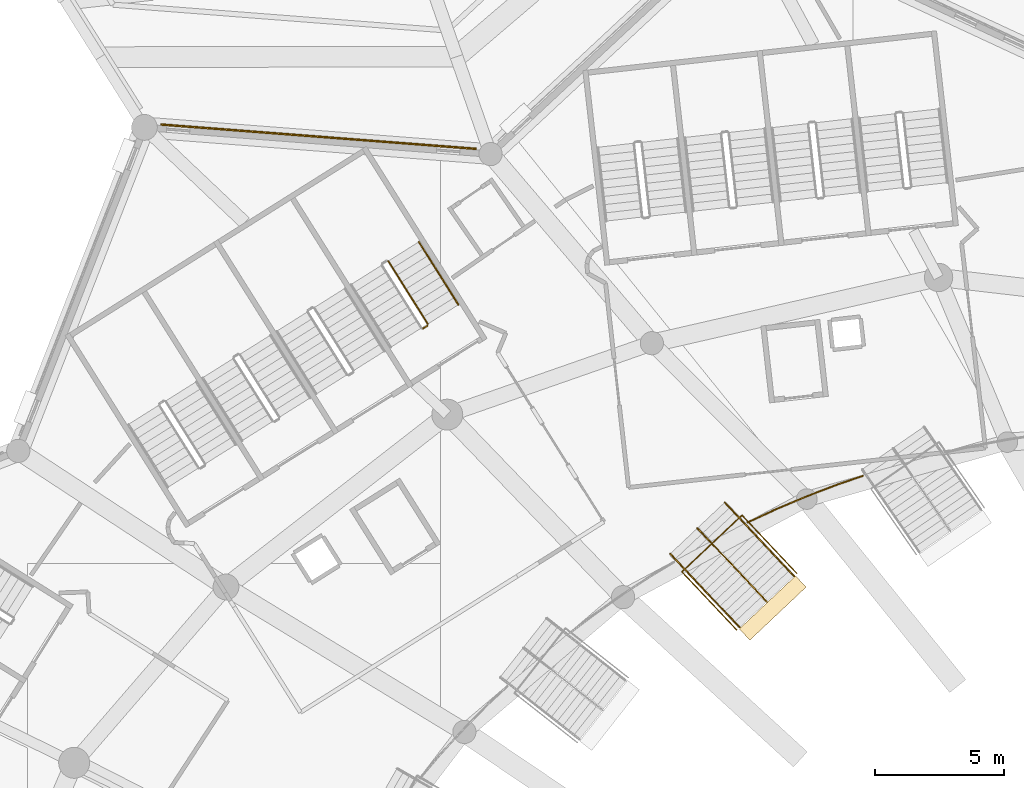
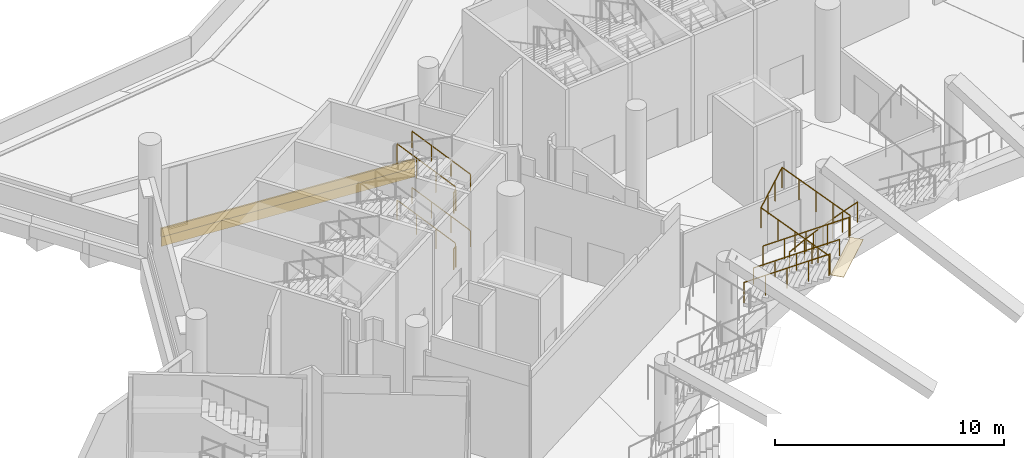
# One storey, part 152 of 173: 11 railings, 3 coverings.
"""IFC4 building model written with IfcOpenShell, lengths in metres."""

from ifc_helpers import new_model, si_unit, direction, frame, origin, origin_2d, place, context, subcontext, project, spatial, rectangle, circle, extrude, material, layer, layer_set, type_object, element, save


model = new_model("IFC4")

# Units and contexts
model_context = context("Model", 3, precision=1e-05, world=origin(), true_north=direction((0.0, 1.0)))
body_context = subcontext(model_context, "Body", "Model", "MODEL_VIEW")
ifc_project = project(units=[si_unit("LENGTHUNIT", "METRE"), si_unit("AREAUNIT", "SQUARE_METRE"), si_unit("VOLUMEUNIT", "CUBIC_METRE"), si_unit("PLANEANGLEUNIT", "RADIAN"), si_unit("MASSUNIT", "GRAM", prefix="KILO")], contexts=[model_context])

# Site, building, storey
site_placement = place(None, origin())
site = spatial("IfcSite", under=ifc_project, at=site_placement, CompositionType="ELEMENT")
building_placement = place(site_placement, origin())
building = spatial("IfcBuilding", under=site, at=building_placement, Name="Meseta Stadium", CompositionType="ELEMENT")
storey_placement = place(building_placement, frame((0.0, 0.0, 18.0)))
storey = spatial("IfcBuildingStorey", under=building, at=storey_placement, Name="L03", CompositionType="ELEMENT", Elevation=18.0)

# Covering
ifc_material_1 = material(Name="Guadarrama granite cladding", Category="masonry")
ifc_layer_1 = layer(ifc_material_1, 0.06005859375)
ifc_layer_set_1 = layer_set([ifc_layer_1], Name="Granite plinth cladding 60")
covering_type_1 = type_object("IfcCoveringType", Name="Granite plinth cladding 60", PredefinedType="CLADDING", material=ifc_layer_set_1)
covering_1_placement = place(storey_placement, frame((-68.726318359375, 96.543212890625, 0.0), z_axis=(0.0, 0.0, 1.0), x_axis=(0.997035991003, -0.076936549466, 0.0)))
element("IfcCovering", 1, at=covering_1_placement, inside=storey, type_object=covering_type_1, Name="Granite plinth L03 F23", PredefinedType="CLADDING", context=body_context, shape_type="SweptSolid", body=[
    extrude(rectangle(XDim=12.273681640625, YDim=0.06005859375, at=origin_2d()), origin(), (0.0, 0.0, 1.0), 0.5),
])

# Railings
ifc_material_2 = material(Name="Steel S355", Category="steel")
railing_type_1 = type_object("IfcRailingType", Name="Plate edge guard 1100", PredefinedType="GUARDRAIL", material=ifc_material_2)
railing_1_placement = place(storey_placement, frame((-47.6162109375, 83.400634765625, 0.0)))
element("IfcRailing", 2, at=railing_1_placement, inside=storey, type_object=railing_type_1, Name="L03 inner edge guard 24", PredefinedType="GUARDRAIL", context=body_context, shape_type="SweptSolid", body=[
    extrude(circle(Radius=0.02490234375, at=origin_2d()), frame((0.0, 0.0, 1.0751953125), z_axis=(-0.945948078572, -0.324318104099, 0.0), x_axis=(0.324318104099, -0.945948078572, 0.0)), (0.0, 0.0, 1.0), 1.00341796875),
    extrude(circle(Radius=0.02490234375, at=origin_2d()), frame((-0.94921875, -0.325439453125, 1.0751953125), z_axis=(-0.933888814038, -0.357563537033, 0.0), x_axis=(0.357563537033, -0.933888814038, 0.0)), (0.0, 0.0, 1.0), 1.3525390625),
    extrude(circle(Radius=0.02490234375, at=origin_2d()), frame((-2.21240234375, -0.80908203125, 1.0751953125), z_axis=(-0.920530635071, -0.390670385231, 0.0), x_axis=(0.390670385231, -0.920530635071, 0.0)), (0.0, 0.0, 1.0), 1.352294921875),
    extrude(circle(Radius=0.02490234375, at=origin_2d()), frame((-3.457275390625, -1.33740234375, 1.0751953125), z_axis=(-0.906110366799, -0.423041372894, 0.0), x_axis=(0.423041372894, -0.906110366799, 0.0)), (0.0, 0.0, 1.0), 1.114501953125),
    extrude(circle(Radius=0.02001953125, at=origin_2d()), origin(), (0.0, 0.0, 1.0), 1.050048828125),
    extrude(circle(Radius=0.02001953125, at=origin_2d()), frame((-0.94921875, -0.325439453125, 0.0)), (0.0, 0.0, 1.0), 1.050048828125),
    extrude(circle(Radius=0.02001953125, at=origin_2d()), frame((-1.580810546875, -0.5673828125, 0.0)), (0.0, 0.0, 1.0), 1.050048828125),
    extrude(circle(Radius=0.02001953125, at=origin_2d()), frame((-2.21240234375, -0.80908203125, 0.0)), (0.0, 0.0, 1.0), 1.050048828125),
    extrude(circle(Radius=0.02001953125, at=origin_2d()), frame((-2.8349609375, -1.0732421875, 0.0)), (0.0, 0.0, 1.0), 1.050048828125),
    extrude(circle(Radius=0.02001953125, at=origin_2d()), frame((-3.457275390625, -1.33740234375, 0.0)), (0.0, 0.0, 1.0), 1.050048828125),
    extrude(circle(Radius=0.02001953125, at=origin_2d()), frame((-4.467041015625, -1.808837890625, 0.0)), (0.0, 0.0, 1.0), 1.050048828125),
])
ifc_material_3 = material(Name="Steel S355", Category="steel")
railing_type_2 = type_object("IfcRailingType", Name="Stair guard 1100", PredefinedType="GUARDRAIL", material=ifc_material_3)
railing_2_placement = place(storey_placement, frame((-64.4853515625, 89.286865234375, 0.14990234375)))
element("IfcRailing", 3, at=railing_2_placement, inside=storey, type_object=railing_type_2, Name="ST49 L03 guard 1", PredefinedType="GUARDRAIL", context=body_context, shape_type="SweptSolid", body=[
    extrude(circle(Radius=0.02392578125, at=origin_2d()), frame((0.0, 0.0, 1.076171875), z_axis=(-0.481702688975, 0.766687087345, 0.424444848635), x_axis=(-0.84674347122, -0.532001404082, 0.0)), (0.0, 0.0, 1.0), 3.180908203125),
    extrude(circle(Radius=0.02099609375, at=origin_2d()), origin(), (0.0, 0.0, 1.0), 1.052001953125),
    extrude(circle(Radius=0.02099609375, at=origin_2d()), frame((-0.5107421875, 0.81298828125, 0.449951171875)), (0.0, 0.0, 1.0), 1.052001953125),
    extrude(circle(Radius=0.02099609375, at=origin_2d()), frame((-1.021484375, 1.625732421875, 0.900146484375)), (0.0, 0.0, 1.0), 1.052001953125),
    extrude(circle(Radius=0.02099609375, at=origin_2d()), frame((-1.5322265625, 2.438720703125, 1.35009765625)), (0.0, 0.0, 1.0), 1.052001953125),
])
railing_3_placement = place(storey_placement, frame((-64.5009765625, 89.218017578125, 3.0)))
element("IfcRailing", 4, at=railing_3_placement, inside=storey, type_object=railing_type_2, Name="ST49 L03 guard 4", PredefinedType="GUARDRAIL", context=body_context, shape_type="SweptSolid", body=[
    extrude(circle(Radius=0.02392578125, at=origin_2d()), frame((0.0, 0.0, 1.076171875), z_axis=(-0.846762178531, -0.531971628011, 0.0), x_axis=(0.531971628011, -0.846762178531, 0.0)), (0.0, 0.0, 1.0), 0.2001953125),
    extrude(circle(Radius=0.02099609375, at=origin_2d()), origin(), (0.0, 0.0, 1.0), 1.052001953125),
    extrude(circle(Radius=0.02099609375, at=origin_2d()), frame((-0.16943359375, -0.1064453125, 0.0)), (0.0, 0.0, 1.0), 1.052001953125),
])
railing_4_placement = place(storey_placement, frame((-64.4853515625, 89.286865234375, 3.14990234375)))
element("IfcRailing", 5, at=railing_4_placement, inside=storey, type_object=railing_type_2, Name="ST49 L03 guard 5", PredefinedType="GUARDRAIL", context=body_context, shape_type="SweptSolid", body=[
    extrude(circle(Radius=0.02392578125, at=origin_2d()), frame((0.0, 0.0, 1.076171875), z_axis=(-0.481702688975, 0.766687087345, 0.424444848635), x_axis=(-0.84674347122, -0.532001404082, 0.0)), (0.0, 0.0, 1.0), 3.180908203125),
    extrude(circle(Radius=0.02099609375, at=origin_2d()), origin(), (0.0, 0.0, 1.0), 1.052001953125),
    extrude(circle(Radius=0.02099609375, at=origin_2d()), frame((-0.5107421875, 0.81298828125, 0.449951171875)), (0.0, 0.0, 1.0), 1.052001953125),
    extrude(circle(Radius=0.02099609375, at=origin_2d()), frame((-1.021484375, 1.625732421875, 0.900146484375)), (0.0, 0.0, 1.0), 1.052001953125),
    extrude(circle(Radius=0.02099609375, at=origin_2d()), frame((-1.5322265625, 2.438720703125, 1.35009765625)), (0.0, 0.0, 1.0), 1.052001953125),
])
railing_5_placement = place(storey_placement, frame((-64.5009765625, 89.218017578125, 0.0)))
element("IfcRailing", 6, at=railing_5_placement, inside=storey, type_object=railing_type_2, Name="ST49 L03 guard 8", PredefinedType="GUARDRAIL", context=body_context, shape_type="SweptSolid", body=[
    extrude(circle(Radius=0.02392578125, at=origin_2d()), frame((0.0, 0.0, 1.076171875), z_axis=(-0.846762178531, -0.531971628011, 0.0), x_axis=(0.531971628011, -0.846762178531, 0.0)), (0.0, 0.0, 1.0), 0.2001953125),
    extrude(circle(Radius=0.02099609375, at=origin_2d()), origin(), (0.0, 0.0, 1.0), 1.052001953125),
    extrude(circle(Radius=0.02099609375, at=origin_2d()), frame((-0.16943359375, -0.1064453125, 0.0)), (0.0, 0.0, 1.0), 1.052001953125),
])
ifc_material_4 = material(Name="Steel S355", Category="steel")
railing_type_3 = type_object("IfcRailingType", Name="Stair handrail 900", PredefinedType="HANDRAIL", material=ifc_material_4)
for number, where, name in (
    (7, (-63.2998046875, 90.03173828125, 0.14990234375), "ST49 L03 handrail 1"),
    (8, (-63.2998046875, 90.03173828125, 3.14990234375), "ST49 L03 handrail 3"),
):
    element("IfcRailing", number, at=place(storey_placement, frame(where)), inside=storey, type_object=railing_type_3, Name=name, PredefinedType="HANDRAIL", context=body_context, shape_type="SweptSolid", body=[
        extrude(circle(Radius=0.02392578125, at=origin_2d()), frame((0.0, 0.0, 0.8759765625), z_axis=(-0.481702688975, 0.766687087345, 0.424444848635), x_axis=(-0.84674347122, -0.532001404082, 0.0)), (0.0, 0.0, 1.0), 3.180908203125),
        extrude(circle(Radius=0.02099609375, at=origin_2d()), origin(), (0.0, 0.0, 1.0), 0.851806640625),
        extrude(circle(Radius=0.02099609375, at=origin_2d()), frame((-0.5107421875, 0.81298828125, 0.449951171875)), (0.0, 0.0, 1.0), 0.851806640625),
        extrude(circle(Radius=0.02099609375, at=origin_2d()), frame((-1.021484375, 1.625732421875, 0.900146484375)), (0.0, 0.0, 1.0), 0.851806640625),
        extrude(circle(Radius=0.02099609375, at=origin_2d()), frame((-1.5322265625, 2.438720703125, 1.35009765625)), (0.0, 0.0, 1.0), 0.851806640625),
    ])

# Coverings
ifc_material_5 = material(Name="Precast concrete C40/50, terracotta pigment", Category="masonry")
ifc_layer_2 = layer(ifc_material_5, 0.080078125)
ifc_layer_set_2 = layer_set([ifc_layer_2], Name="Precast concrete C40/50, terracotta pigment")
covering_type_2 = type_object("IfcCoveringType", Name="Terracotta precast band 80", PredefinedType="CLADDING", material=ifc_layer_set_2)
covering_2_placement = place(storey_placement, frame((-68.7255859375, 96.55322265625, 0.5), z_axis=(0.0, 0.0, 1.0), x_axis=(0.997035991003, -0.076936549466, 0.0)))
element("IfcCovering", 9, at=covering_2_placement, inside=storey, type_object=covering_type_2, Name="Terracotta band L03 F23", PredefinedType="CLADDING", context=body_context, shape_type="SweptSolid", body=[
    extrude(rectangle(XDim=12.273681640625, YDim=0.080078125, at=origin_2d()), origin(), (0.0, 0.0, 1.0), 0.449951171875),
])
ifc_material_6 = material(Name="Stone paving", Category="masonry")
ifc_layer_3 = layer(ifc_material_6, 0.02001953125)
ifc_layer_set_3 = layer_set([ifc_layer_3], Name="Vomitory exit threshold plate 20")
covering_type_3 = type_object("IfcCoveringType", Name="Vomitory exit threshold plate 20", PredefinedType="FLOORING", material=ifc_layer_set_3)
covering_3_placement = place(storey_placement, frame((-51.113525390625, 78.275146484375, 2.453125), z_axis=(0.0, 0.0, 1.0), x_axis=(0.686064733008, -0.72754050205, 0.0)))
element("IfcCovering", 10, at=covering_3_placement, inside=storey, type_object=covering_type_3, Name="Vomitory V-upper-24 exit threshold", PredefinedType="FLOORING", context=body_context, shape_type="SweptSolid", body=[
    extrude(rectangle(XDim=0.60009765625, YDim=3.0, at=origin_2d()), origin(), (0.0, 0.0, 1.0), 0.02001953125),
])

# Railings
ifc_material_7 = material(Name="Steel S355", Category="steel")
railing_type_4 = type_object("IfcRailingType", Name="Vomitory slot guard 1100", PredefinedType="GUARDRAIL", material=ifc_material_7)
railing_6_placement = place(storey_placement, frame((-52.5068359375, 77.42041015625, 2.47314453125)))
element("IfcRailing", 11, at=railing_6_placement, inside=storey, type_object=railing_type_4, Name="Vomitory V-upper-24 slot guard", PredefinedType="GUARDRAIL", context=body_context, shape_type="SweptSolid", body=[
    extrude(circle(Radius=0.02490234375, at=origin_2d()), frame((0.0, 0.0, 1.0751953125), z_axis=(-0.581765575966, 0.616961358141, 0.530007072766), x_axis=(-0.727554587562, -0.686049795654, 0.0)), (0.0, 0.0, 1.0), 3.655517578125),
    extrude(circle(Radius=0.02490234375, at=origin_2d()), frame((-2.126708984375, 2.25537109375, 3.0126953125), z_axis=(0.727554587562, 0.686049795654, 0.0), x_axis=(-0.686049795654, 0.727554587562, 0.0)), (0.0, 0.0, 1.0), 3.199951171875),
    extrude(circle(Radius=0.02490234375, at=origin_2d()), frame((0.201416015625, 4.45068359375, 3.0126953125), z_axis=(0.581765575966, -0.616961358141, -0.530007072766), x_axis=(0.727554587562, 0.686049795654, 0.0)), (0.0, 0.0, 1.0), 3.655517578125),
    extrude(circle(Radius=0.02001953125, at=origin_2d()), origin(), (0.0, 0.0, 1.0), 1.050048828125),
    extrude(circle(Radius=0.02001953125, at=origin_2d()), frame((-0.53173828125, 0.56396484375, 0.484375)), (0.0, 0.0, 1.0), 1.050048828125),
    extrude(circle(Radius=0.02001953125, at=origin_2d()), frame((-1.0634765625, 1.127685546875, 0.96875)), (0.0, 0.0, 1.0), 1.050048828125),
    extrude(circle(Radius=0.02001953125, at=origin_2d()), frame((-1.594970703125, 1.69140625, 1.453125)), (0.0, 0.0, 1.0), 1.050048828125),
    extrude(circle(Radius=0.02001953125, at=origin_2d()), frame((-2.126708984375, 2.25537109375, 1.9375)), (0.0, 0.0, 1.0), 1.050048828125),
    extrude(circle(Radius=0.02001953125, at=origin_2d()), frame((-1.3505859375, 2.987060546875, 1.9375)), (0.0, 0.0, 1.0), 1.050048828125),
    extrude(circle(Radius=0.02001953125, at=origin_2d()), frame((-0.57470703125, 3.718994140625, 1.9375)), (0.0, 0.0, 1.0), 1.050048828125),
    extrude(circle(Radius=0.02001953125, at=origin_2d()), frame((0.201416015625, 4.45068359375, 1.9375)), (0.0, 0.0, 1.0), 1.050048828125),
    extrude(circle(Radius=0.02001953125, at=origin_2d()), frame((0.733154296875, 3.88671875, 1.453125)), (0.0, 0.0, 1.0), 1.050048828125),
    extrude(circle(Radius=0.02001953125, at=origin_2d()), frame((1.2646484375, 3.322998046875, 0.96875)), (0.0, 0.0, 1.0), 1.050048828125),
    extrude(circle(Radius=0.02001953125, at=origin_2d()), frame((1.79638671875, 2.75927734375, 0.484375)), (0.0, 0.0, 1.0), 1.050048828125),
    extrude(circle(Radius=0.02001953125, at=origin_2d()), frame((2.328125, 2.1953125, 0.0)), (0.0, 0.0, 1.0), 1.050048828125),
])
ifc_material_8 = material(Name="Steel S355", Category="steel")
railing_type_5 = type_object("IfcRailingType", Name="Vomitory stair guard 1100", PredefinedType="GUARDRAIL", material=ifc_material_8)
for number, where, name in (
    (12, (-52.977294921875, 82.364990234375, 0.164794921875), "Vomitory V-upper-24 guard left"),
    (13, (-55.087158203125, 80.375244140625, 0.164794921875), "Vomitory V-upper-24 guard right"),
):
    element("IfcRailing", number, at=place(storey_placement, frame(where)), inside=storey, type_object=railing_type_5, Name=name, PredefinedType="GUARDRAIL", context=body_context, shape_type="SweptSolid", body=[
        extrude(circle(Radius=0.02490234375, at=origin_2d()), frame((0.0, 0.0, 1.0751953125), z_axis=(0.591183845792, -0.626925352808, 0.507411334601), x_axis=(0.727541443777, 0.686063734348, 0.0)), (0.0, 0.0, 1.0), 4.54931640625),
        extrude(circle(Radius=0.02001953125, at=origin_2d()), origin(), (0.0, 0.0, 1.0), 1.050048828125),
        extrude(circle(Radius=0.02001953125, at=origin_2d()), frame((0.67236328125, -0.712890625, 0.5771484375)), (0.0, 0.0, 1.0), 1.050048828125),
        extrude(circle(Radius=0.02001953125, at=origin_2d()), frame((1.3447265625, -1.426025390625, 1.154296875)), (0.0, 0.0, 1.0), 1.050048828125),
        extrude(circle(Radius=0.02001953125, at=origin_2d()), frame((2.01708984375, -2.13916015625, 1.731201171875)), (0.0, 0.0, 1.0), 1.050048828125),
        extrude(circle(Radius=0.02001953125, at=origin_2d()), frame((2.689453125, -2.85205078125, 2.308349609375)), (0.0, 0.0, 1.0), 1.050048828125),
    ])
ifc_material_9 = material(Name="Steel S355", Category="steel")
railing_type_6 = type_object("IfcRailingType", Name="Vomitory stair handrail 900", PredefinedType="HANDRAIL", material=ifc_material_9)
railing_7_placement = place(storey_placement, frame((-54.0322265625, 81.3701171875, 0.164794921875)))
element("IfcRailing", 14, at=railing_7_placement, inside=storey, type_object=railing_type_6, Name="Vomitory V-upper-24 central handrail", PredefinedType="HANDRAIL", context=body_context, shape_type="SweptSolid", body=[
    extrude(circle(Radius=0.02490234375, at=origin_2d()), frame((0.0, 0.0, 0.875), z_axis=(0.591183845792, -0.626925352808, 0.507411334601), x_axis=(0.727541443777, 0.686063734348, 0.0)), (0.0, 0.0, 1.0), 4.54931640625),
    extrude(circle(Radius=0.02001953125, at=origin_2d()), origin(), (0.0, 0.0, 1.0), 0.849853515625),
    extrude(circle(Radius=0.02001953125, at=origin_2d()), frame((0.67236328125, -0.712890625, 0.5771484375)), (0.0, 0.0, 1.0), 0.849853515625),
    extrude(circle(Radius=0.02001953125, at=origin_2d()), frame((1.3447265625, -1.426025390625, 1.154296875)), (0.0, 0.0, 1.0), 0.849853515625),
    extrude(circle(Radius=0.02001953125, at=origin_2d()), frame((2.01708984375, -2.13916015625, 1.731201171875)), (0.0, 0.0, 1.0), 0.849853515625),
    extrude(circle(Radius=0.02001953125, at=origin_2d()), frame((2.689453125, -2.85205078125, 2.308349609375)), (0.0, 0.0, 1.0), 0.849853515625),
])

save(model, "model.ifc")
